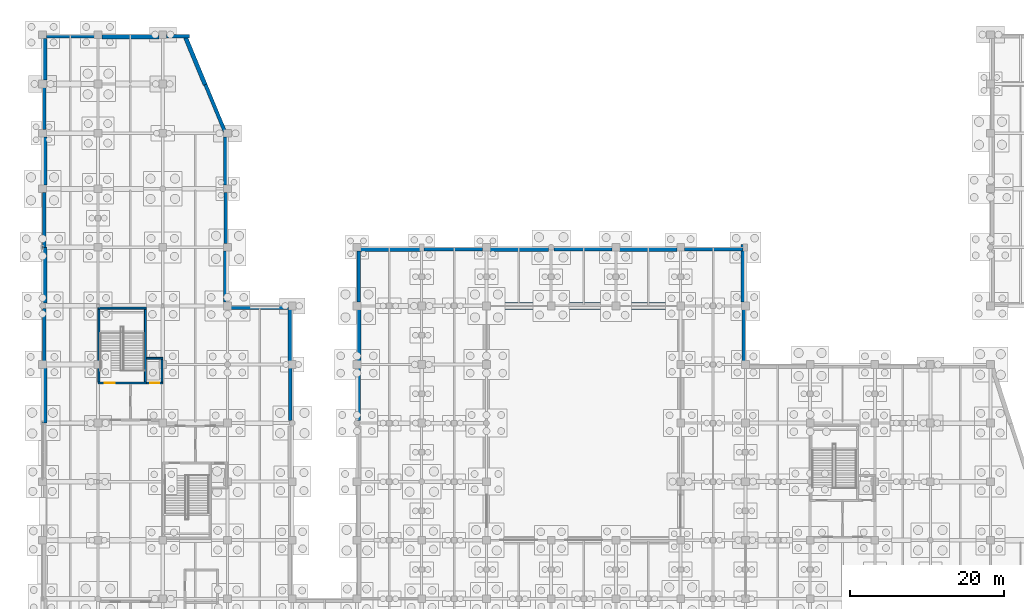
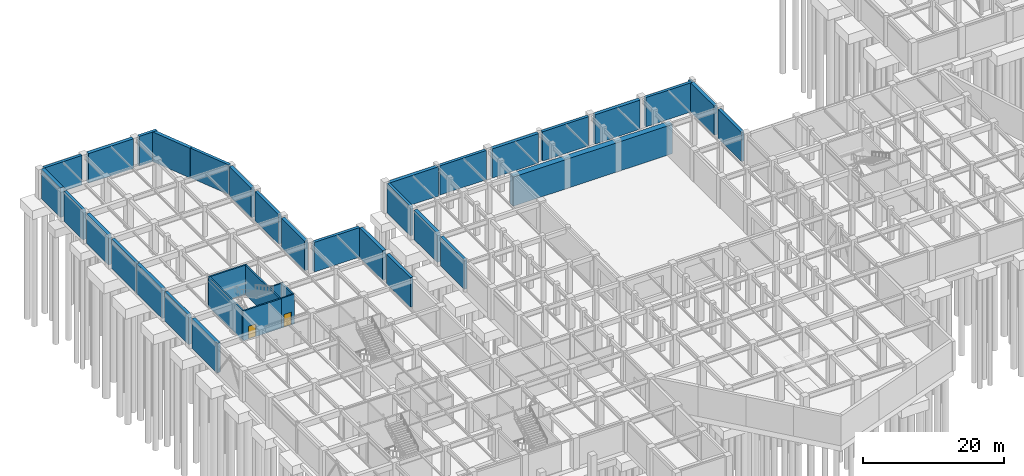
# One storey, part 43 of 52: 37 walls, 2 doors, 2 openings.
"""IFC4 building model written with IfcOpenShell, lengths in metres."""

from ifc_helpers import new_model, si_unit, direction, frame, frame_2d, origin, place, context, subcontext, project, spatial, rectangle, extrude, material, layer, layer_set, type_object, element, fill, save


model = new_model("IFC4")

# Units and contexts
model_context = context("Model", 3, precision=1e-05, world=origin(), true_north=direction((0.0, 1.0)))
body_context = subcontext(model_context, "Body", "Model", "MODEL_VIEW")
ifc_project = project(units=[si_unit("LENGTHUNIT", "METRE"), si_unit("AREAUNIT", "SQUARE_METRE"), si_unit("VOLUMEUNIT", "CUBIC_METRE"), si_unit("PLANEANGLEUNIT", "RADIAN"), si_unit("MASSUNIT", "GRAM", prefix="KILO")], contexts=[model_context])

# Site, building, storey
site_placement = place(None, origin())
site = spatial("IfcSite", under=ifc_project, at=site_placement, CompositionType="ELEMENT")
building_placement = place(site_placement, origin())
building = spatial("IfcBuilding", under=site, at=building_placement, Name="Xicomal Pleat Aquarium", CompositionType="ELEMENT")
storey_placement = place(building_placement, frame((0.0, 0.0, -5.39990234375)))
storey = spatial("IfcBuildingStorey", under=building, at=storey_placement, Name="B1", CompositionType="ELEMENT", Elevation=-5.39990234375)

# Wall, opening, door
ifc_material_1 = material(Name="Concrete C40/50", Category="concrete")
ifc_layer_1 = layer(ifc_material_1, 0.219970703125)
ifc_layer_set_1 = layer_set([ifc_layer_1], Name="Concrete C40/50")
wall_type_1 = type_object("IfcWallType", Name="WAL-COR-220", PredefinedType="SHEAR", material=ifc_layer_set_1)
wall_1_placement = place(storey_placement, frame((16.5, 65.989990234375, 0.0), z_axis=(0.0, 0.0, 1.0), x_axis=(1.0, 0.0, 0.0)))
wall_1 = element("IfcWall", 1, at=wall_1_placement, inside=storey, type_object=wall_type_1, Name="B1 LF-03 lift shaft wall CW-B1-C3-LS", PredefinedType="SHEAR", context=body_context, shape_type="SweptSolid", body=[
    extrude(rectangle(XDim=2.1201171875, YDim=0.219970703125, at=frame_2d((1.06005859375, 0.0))), origin(), (0.0, 0.0, 1.0), 5.139892578125),
])
opening_1_placement = place(wall_1_placement, frame((0.4599609375, 0.0, 0.0)))
opening_1 = element("IfcOpeningElement", 2, at=opening_1_placement, cuts=wall_1, Name="Opening LD-03-B1", PredefinedType="OPENING", context=body_context, shape_type="SweptSolid", body=[
    extrude(rectangle(XDim=1.199951171875, YDim=2.199951171875, at=frame_2d((0.60009765625, 1.10009765625))), frame((0.0, 0.119873046875, 0.0), z_axis=(0.0, -1.0, 0.0), x_axis=(1.0, 0.0, 0.0)), (0.0, 0.0, 1.0), 0.239990234375),
])
ifc_material_2 = material(Name="Brushed stainless steel 304", Category="steel")
door_type_1 = type_object("IfcDoorType", Name="DOR-LD-1200x2200", OperationType="DOUBLE_DOOR_SLIDING", PredefinedType="DOOR", material=ifc_material_2)
door_1_placement = place(opening_1_placement, origin())
door_1 = element("IfcDoor", 3, at=door_1_placement, inside=storey, type_object=door_type_1, Name="B1 LF-03 sliding lift landing door", OperationType="DOUBLE_DOOR_SLIDING", OverallHeight=2.199951171875, OverallWidth=1.199951171875, PredefinedType="DOOR", context=body_context, shape_type="SweptSolid", body=[
    extrude(rectangle(XDim=1.199951171875, YDim=2.199951171875, at=frame_2d((0.60009765625, 1.10009765625))), frame((0.0, 0.02490234375, 0.0), z_axis=(0.0, -1.0, 0.0), x_axis=(1.0, 0.0, 0.0)), (0.0, 0.0, 1.0), 0.050048828125),
])
fill(opening_1, door_1)

# Walls
wall_2_placement = place(storey_placement, frame((16.5, 69.2099609375, 0.0), z_axis=(0.0, 0.0, 1.0), x_axis=(1.0, 0.0, 0.0)))
element("IfcWall", 4, at=wall_2_placement, inside=storey, type_object=wall_type_1, Name="B1 LF-03 lift shaft wall CW-B1-C3-LN", PredefinedType="SHEAR", context=body_context, shape_type="SweptSolid", body=[
    extrude(rectangle(XDim=2.1201171875, YDim=0.219970703125, at=frame_2d((1.06005859375, 0.0))), origin(), (0.0, 0.0, 1.0), 5.139892578125),
])
wall_3_placement = place(storey_placement, frame((18.510009765625, 66.10009765625, 0.0), z_axis=(0.0, 0.0, 1.0), x_axis=(0.0, 1.0, 0.0)))
element("IfcWall", 5, at=wall_3_placement, inside=storey, type_object=wall_type_1, Name="B1 LF-03 lift shaft wall CW-B1-C3-LE", PredefinedType="SHEAR", context=body_context, shape_type="SweptSolid", body=[
    extrude(rectangle(XDim=3.0, YDim=0.219970703125, at=frame_2d((1.5, 0.0))), origin(), (0.0, 0.0, 1.0), 5.139892578125),
])

# Wall, opening, door
ifc_material_3 = material(Name="Concrete C40/50", Category="concrete")
ifc_layer_2 = layer(ifc_material_3, 0.25)
ifc_layer_set_2 = layer_set([ifc_layer_2], Name="Concrete C40/50")
wall_type_2 = type_object("IfcWallType", Name="WAL-COR-250", PredefinedType="SHEAR", material=ifc_layer_set_2)
wall_4_placement = place(storey_placement, frame((10.18994140625, 65.97509765625, 0.0), z_axis=(0.0, 0.0, 1.0), x_axis=(1.0, 0.0, 0.0)))
wall_4 = element("IfcWall", 6, at=wall_4_placement, inside=storey, type_object=wall_type_2, Name="B1 CORE-3 stair shear wall CW-B1-C3-SS", PredefinedType="SHEAR", context=body_context, shape_type="SweptSolid", body=[
    extrude(rectangle(XDim=6.280029296875, YDim=0.25, at=frame_2d((3.14013671875, 0.0))), origin(), (0.0, 0.0, 1.0), 5.139892578125),
])
opening_2_placement = place(wall_4_placement, frame((0.89990234375, 0.0, 0.0)))
opening_2 = element("IfcOpeningElement", 7, at=opening_2_placement, cuts=wall_4, Name="Opening SD-03-B1", PredefinedType="OPENING", context=body_context, shape_type="SweptSolid", body=[
    extrude(rectangle(XDim=1.25, YDim=2.199951171875, at=frame_2d((0.625, 1.10009765625))), frame((0.0, 0.135009765625, 0.0), z_axis=(0.0, -1.0, 0.0), x_axis=(1.0, 0.0, 0.0)), (0.0, 0.0, 1.0), 0.27001953125),
])
ifc_material_4 = material(Name="Powder-coated steel fire door", Category="steel")
door_type_2 = type_object("IfcDoorType", Name="DOR-ST-1250x2200", OperationType="NOTDEFINED", PredefinedType="DOOR", material=ifc_material_4)
door_2_placement = place(opening_2_placement, origin())
door_2 = element("IfcDoor", 8, at=door_2_placement, inside=storey, type_object=door_type_2, Name="B1 ST-03 protected stair door", OperationType="SINGLE_SWING_LEFT", OverallHeight=2.199951171875, OverallWidth=1.25, PredefinedType="DOOR", context=body_context, shape_type="SweptSolid", body=[
    extrude(rectangle(XDim=1.25, YDim=2.199951171875, at=frame_2d((0.625, 1.10009765625))), frame((0.0, 0.02490234375, 0.0), z_axis=(0.0, -1.0, 0.0), x_axis=(1.0, 0.0, 0.0)), (0.0, 0.0, 1.0), 0.050048828125),
])
fill(opening_2, door_2)

# Walls
wall_5_placement = place(storey_placement, frame((10.18994140625, 75.72509765625, 0.0), z_axis=(0.0, 0.0, 1.0), x_axis=(1.0, 0.0, 0.0)))
element("IfcWall", 9, at=wall_5_placement, inside=storey, type_object=wall_type_2, Name="B1 CORE-3 stair shear wall CW-B1-C3-SN", PredefinedType="SHEAR", context=body_context, shape_type="SweptSolid", body=[
    extrude(rectangle(XDim=6.280029296875, YDim=0.25, at=frame_2d((3.14013671875, 0.0))), origin(), (0.0, 0.0, 1.0), 5.139892578125),
])
for number, where, z_axis, x_axis, name in (
    (10, (10.31494140625, 66.10009765625, 0.0), (0.0, 0.0, 1.0), (0.0, 1.0, 0.0), "B1 CORE-3 stair shear wall CW-B1-C3-SW"),
    (11, (16.344970703125, 66.10009765625, 0.0), (0.0, 0.0, 1.0), (0.0, 1.0, 0.0), "B1 CORE-3 stair shear wall CW-B1-C3-SE"),
):
    element("IfcWall", number, at=place(storey_placement, frame(where, z_axis=z_axis, x_axis=x_axis)), inside=storey, type_object=wall_type_2, Name=name, PredefinedType="SHEAR", context=body_context, shape_type="SweptSolid", body=[
        extrude(rectangle(XDim=9.5, YDim=0.25, at=frame_2d((4.75, 0.0))), origin(), (0.0, 0.0, 1.0), 5.139892578125),
    ])
ifc_material_5 = material(Name="Waterproof concrete C40/50", Category="concrete")
ifc_layer_3 = layer(ifc_material_5, 0.4599609375)
ifc_layer_set_3 = layer_set([ifc_layer_3], Name="Waterproof concrete C40/50")
wall_type_3 = type_object("IfcWallType", Name="WAL-RET-460", PredefinedType="USERDEFINED", material=ifc_layer_set_3)
wall_6_placement = place(storey_placement, frame((3.22998046875, 68.885009765625, 0.0), z_axis=(0.0, 0.0, 1.0), x_axis=(0.0, 1.0, 0.0)))
element("IfcWall", 12, at=wall_6_placement, inside=storey, type_object=wall_type_3, Name="Basement waterproof retaining wall RW-B1-083", ObjectType="RETAINING WALL", PredefinedType="USERDEFINED", context=body_context, shape_type="SweptSolid", body=[
    extrude(rectangle(XDim=6.7548828125, YDim=0.4599609375, at=frame_2d((3.37744140625, 0.0))), origin(), (0.0, 0.0, 1.0), 5.139892578125),
])
wall_7_placement = place(storey_placement, frame((3.22998046875, 83.580078125, 0.0), z_axis=(0.0, 0.0, 1.0), x_axis=(0.0, 1.0, 0.0)))
element("IfcWall", 13, at=wall_7_placement, inside=storey, type_object=wall_type_3, Name="Basement waterproof retaining wall RW-B1-085", ObjectType="RETAINING WALL", PredefinedType="USERDEFINED", context=body_context, shape_type="SweptSolid", body=[
    extrude(rectangle(XDim=7.135009765625, YDim=0.4599609375, at=frame_2d((3.5673828125, 0.0))), origin(), (0.0, 0.0, 1.0), 5.139892578125),
])
wall_8_placement = place(storey_placement, frame((3.22998046875, 98.885009765625, 0.0), z_axis=(0.0, 0.0, 1.0), x_axis=(0.0, 1.0, 0.0)))
element("IfcWall", 14, at=wall_8_placement, inside=storey, type_object=wall_type_3, Name="Basement waterproof retaining wall RW-B1-087", ObjectType="RETAINING WALL", PredefinedType="USERDEFINED", context=body_context, shape_type="SweptSolid", body=[
    extrude(rectangle(XDim=5.429931640625, YDim=0.4599609375, at=frame_2d((2.71484375, 0.0))), origin(), (0.0, 0.0, 1.0), 5.139892578125),
])
wall_9_placement = place(storey_placement, frame((3.485107421875, 110.969970703125, 0.0), z_axis=(0.0, 0.0, 1.0), x_axis=(1.0, 0.0, 0.0)))
element("IfcWall", 15, at=wall_9_placement, inside=storey, type_object=wall_type_3, Name="Basement waterproof retaining wall RW-B1-089", ObjectType="RETAINING WALL", PredefinedType="USERDEFINED", context=body_context, shape_type="SweptSolid", body=[
    extrude(rectangle(XDim=6.22998046875, YDim=0.4599609375, at=frame_2d((3.114990234375, 0.0))), origin(), (0.0, 0.0, 1.0), 5.139892578125),
])
wall_10_placement = place(storey_placement, frame((19.0849609375, 110.969970703125, 0.0), z_axis=(0.0, 0.0, 1.0), x_axis=(1.0, 0.0, 0.0)))
element("IfcWall", 16, at=wall_10_placement, inside=storey, type_object=wall_type_3, Name="Basement waterproof retaining wall RW-B1-091", ObjectType="RETAINING WALL", PredefinedType="USERDEFINED", context=body_context, shape_type="SweptSolid", body=[
    extrude(rectangle(XDim=2.97509765625, YDim=0.4599609375, at=frame_2d((1.487548828125, 0.0))), origin(), (0.0, 0.0, 1.0), 5.139892578125),
])
wall_11_placement = place(storey_placement, frame((24.136962890625, 104.7119140625, 0.0), z_axis=(0.0, 0.0, 1.0), x_axis=(0.382587333164, -0.923919332249, 0.0)))
element("IfcWall", 17, at=wall_11_placement, inside=storey, type_object=wall_type_3, Name="Basement waterproof retaining wall RW-B1-093", ObjectType="RETAINING WALL", PredefinedType="USERDEFINED", context=body_context, shape_type="SweptSolid", body=[
    extrude(rectangle(XDim=6.927001953125, YDim=0.4599609375, at=frame_2d((3.46337890625, 0.0))), origin(), (0.0, 0.0, 1.0), 5.139892578125),
])
wall_12_placement = place(storey_placement, frame((26.77001953125, 90.715087890625, 0.0), z_axis=(0.0, 0.0, 1.0), x_axis=(0.0, -1.0, 0.0)))
element("IfcWall", 18, at=wall_12_placement, inside=storey, type_object=wall_type_3, Name="Basement waterproof retaining wall RW-B1-095", ObjectType="RETAINING WALL", PredefinedType="USERDEFINED", context=body_context, shape_type="SweptSolid", body=[
    extrude(rectangle(XDim=6.630126953125, YDim=0.4599609375, at=frame_2d((3.31494140625, 0.0))), origin(), (0.0, 0.0, 1.0), 5.139892578125),
])
wall_13_placement = place(storey_placement, frame((27.485107421875, 75.77001953125, 0.0), z_axis=(0.0, 0.0, 1.0), x_axis=(1.0, 0.0, 0.0)))
element("IfcWall", 19, at=wall_13_placement, inside=storey, type_object=wall_type_3, Name="Basement waterproof retaining wall RW-B1-097", ObjectType="RETAINING WALL", PredefinedType="USERDEFINED", context=body_context, shape_type="SweptSolid", body=[
    extrude(rectangle(XDim=7.429931640625, YDim=0.4599609375, at=frame_2d((3.71484375, 0.0))), origin(), (0.0, 0.0, 1.0), 5.139892578125),
])
wall_14_placement = place(storey_placement, frame((35.169921875, 67.9150390625, 0.0), z_axis=(0.0, 0.0, 1.0), x_axis=(0.0, -1.0, 0.0)))
element("IfcWall", 20, at=wall_14_placement, inside=storey, type_object=wall_type_3, Name="Basement waterproof retaining wall RW-B1-099", ObjectType="RETAINING WALL", PredefinedType="USERDEFINED", context=body_context, shape_type="SweptSolid", body=[
    extrude(rectangle(XDim=6.755126953125, YDim=0.4599609375, at=frame_2d((3.37744140625, 0.0))), origin(), (0.0, 0.0, 1.0), 5.139892578125),
])
wall_15_placement = place(storey_placement, frame((44.030029296875, 61.159912109375, 0.0), z_axis=(0.0, 0.0, 1.0), x_axis=(0.0, 1.0, 0.0)))
element("IfcWall", 21, at=wall_15_placement, inside=storey, type_object=wall_type_3, Name="Basement waterproof retaining wall RW-B1-107", ObjectType="RETAINING WALL", PredefinedType="USERDEFINED", context=body_context, shape_type="SweptSolid", body=[
    extrude(rectangle(XDim=6.755126953125, YDim=0.4599609375, at=frame_2d((3.37744140625, 0.0))), origin(), (0.0, 0.0, 1.0), 5.074951171875),
])
wall_16_placement = place(storey_placement, frame((44.030029296875, 76.485107421875, 0.0), z_axis=(0.0, 0.0, 1.0), x_axis=(0.0, 1.0, 0.0)))
element("IfcWall", 22, at=wall_16_placement, inside=storey, type_object=wall_type_3, Name="Basement waterproof retaining wall RW-B1-109", ObjectType="RETAINING WALL", PredefinedType="USERDEFINED", context=body_context, shape_type="SweptSolid", body=[
    extrude(rectangle(XDim=6.6298828125, YDim=0.4599609375, at=frame_2d((3.31494140625, 0.0))), origin(), (0.0, 0.0, 1.0), 5.074951171875),
])
wall_17_placement = place(storey_placement, frame((52.485107421875, 83.3701171875, 0.0), z_axis=(0.0, 0.0, 1.0), x_axis=(1.0, 0.0, 0.0)))
element("IfcWall", 23, at=wall_17_placement, inside=storey, type_object=wall_type_3, Name="Basement waterproof retaining wall RW-B1-111", ObjectType="RETAINING WALL", PredefinedType="USERDEFINED", context=body_context, shape_type="SweptSolid", body=[
    extrude(rectangle(XDim=7.6298828125, YDim=0.4599609375, at=frame_2d((3.81494140625, 0.0))), origin(), (0.0, 0.0, 1.0), 5.074951171875),
])
wall_18_placement = place(storey_placement, frame((69.360107421875, 83.3701171875, 0.0), z_axis=(0.0, 0.0, 1.0), x_axis=(1.0, 0.0, 0.0)))
element("IfcWall", 24, at=wall_18_placement, inside=storey, type_object=wall_type_3, Name="Basement waterproof retaining wall RW-B1-113", ObjectType="RETAINING WALL", PredefinedType="USERDEFINED", context=body_context, shape_type="SweptSolid", body=[
    extrude(rectangle(XDim=7.554931640625, YDim=0.4599609375, at=frame_2d((3.77734375, 0.0))), origin(), (0.0, 0.0, 1.0), 5.074951171875),
])
wall_19_placement = place(storey_placement, frame((86.284912109375, 83.3701171875, 0.0), z_axis=(0.0, 0.0, 1.0), x_axis=(1.0, 0.0, 0.0)))
element("IfcWall", 25, at=wall_19_placement, inside=storey, type_object=wall_type_3, Name="Basement waterproof retaining wall RW-B1-115", ObjectType="RETAINING WALL", PredefinedType="USERDEFINED", context=body_context, shape_type="SweptSolid", body=[
    extrude(rectangle(XDim=7.630126953125, YDim=0.4599609375, at=frame_2d((3.81494140625, 0.0))), origin(), (0.0, 0.0, 1.0), 5.074951171875),
])
wall_20_placement = place(storey_placement, frame((93.969970703125, 75.514892578125, 0.0), z_axis=(0.0, 0.0, 1.0), x_axis=(0.0, -1.0, 0.0)))
element("IfcWall", 26, at=wall_20_placement, inside=storey, type_object=wall_type_3, Name="Basement waterproof retaining wall RW-B1-117", ObjectType="RETAINING WALL", PredefinedType="USERDEFINED", context=body_context, shape_type="SweptSolid", body=[
    extrude(rectangle(XDim=6.6298828125, YDim=0.4599609375, at=frame_2d((3.31494140625, 0.0))), origin(), (0.0, 0.0, 1.0), 5.074951171875),
])
ifc_material_6 = material(Name="Waterproof concrete C40/50", Category="concrete")
ifc_layer_4 = layer(ifc_material_6, 0.550048828125)
ifc_layer_set_4 = layer_set([ifc_layer_4], Name="Waterproof concrete C40/50")
wall_type_4 = type_object("IfcWallType", Name="WAL-RET-550", PredefinedType="USERDEFINED", material=ifc_layer_set_4)
wall_21_placement = place(storey_placement, frame((3.27490234375, 60.780029296875, 0.0), z_axis=(0.0, 0.0, 1.0), x_axis=(0.0, 1.0, 0.0)))
element("IfcWall", 27, at=wall_21_placement, inside=storey, type_object=wall_type_4, Name="Basement waterproof retaining wall RW-B1-082", ObjectType="RETAINING WALL", PredefinedType="USERDEFINED", context=body_context, shape_type="SweptSolid", body=[
    extrude(rectangle(XDim=7.135009765625, YDim=0.550048828125, at=frame_2d((3.5673828125, 0.0))), origin(), (0.0, 0.0, 1.0), 5.139892578125),
])
wall_22_placement = place(storey_placement, frame((3.27490234375, 76.360107421875, 0.0), z_axis=(0.0, 0.0, 1.0), x_axis=(0.0, 1.0, 0.0)))
element("IfcWall", 28, at=wall_22_placement, inside=storey, type_object=wall_type_4, Name="Basement waterproof retaining wall RW-B1-084", ObjectType="RETAINING WALL", PredefinedType="USERDEFINED", context=body_context, shape_type="SweptSolid", body=[
    extrude(rectangle(XDim=7.260009765625, YDim=0.550048828125, at=frame_2d((3.6298828125, 0.0))), origin(), (0.0, 0.0, 1.0), 5.139892578125),
])
wall_23_placement = place(storey_placement, frame((3.27490234375, 91.68505859375, 0.0), z_axis=(0.0, 0.0, 1.0), x_axis=(0.0, 1.0, 0.0)))
element("IfcWall", 29, at=wall_23_placement, inside=storey, type_object=wall_type_4, Name="Basement waterproof retaining wall RW-B1-086", ObjectType="RETAINING WALL", PredefinedType="USERDEFINED", context=body_context, shape_type="SweptSolid", body=[
    extrude(rectangle(XDim=6.22998046875, YDim=0.550048828125, at=frame_2d((3.114990234375, 0.0))), origin(), (0.0, 0.0, 1.0), 5.139892578125),
])
wall_24_placement = place(storey_placement, frame((3.27490234375, 105.284912109375, 0.0), z_axis=(0.0, 0.0, 1.0), x_axis=(0.0, 1.0, 0.0)))
element("IfcWall", 30, at=wall_24_placement, inside=storey, type_object=wall_type_4, Name="Basement waterproof retaining wall RW-B1-088", ObjectType="RETAINING WALL", PredefinedType="USERDEFINED", context=body_context, shape_type="SweptSolid", body=[
    extrude(rectangle(XDim=5.43017578125, YDim=0.550048828125, at=frame_2d((2.715087890625, 0.0))), origin(), (0.0, 0.0, 1.0), 5.139892578125),
])
wall_25_placement = place(storey_placement, frame((10.68505859375, 110.925048828125, 0.0), z_axis=(0.0, 0.0, 1.0), x_axis=(1.0, 0.0, 0.0)))
element("IfcWall", 31, at=wall_25_placement, inside=storey, type_object=wall_type_4, Name="Basement waterproof retaining wall RW-B1-090", ObjectType="RETAINING WALL", PredefinedType="USERDEFINED", context=body_context, shape_type="SweptSolid", body=[
    extrude(rectangle(XDim=7.429931640625, YDim=0.550048828125, at=frame_2d((3.71484375, 0.0))), origin(), (0.0, 0.0, 1.0), 5.139892578125),
])
wall_26_placement = place(storey_placement, frame((21.446044921875, 111.094970703125, 0.0), z_axis=(0.0, 0.0, 1.0), x_axis=(0.382557246249, -0.923931790416, 0.0)))
element("IfcWall", 32, at=wall_26_placement, inside=storey, type_object=wall_type_4, Name="Basement waterproof retaining wall RW-B1-092", ObjectType="RETAINING WALL", PredefinedType="USERDEFINED", context=body_context, shape_type="SweptSolid", body=[
    extrude(rectangle(XDim=6.9267578125, YDim=0.550048828125, at=frame_2d((3.46337890625, 0.0))), origin(), (0.0, 0.0, 1.0), 5.139892578125),
])
wall_27_placement = place(storey_placement, frame((26.72509765625, 97.9150390625, 0.0), z_axis=(0.0, 0.0, 1.0), x_axis=(0.0, -1.0, 0.0)))
element("IfcWall", 33, at=wall_27_placement, inside=storey, type_object=wall_type_4, Name="Basement waterproof retaining wall RW-B1-094", ObjectType="RETAINING WALL", PredefinedType="USERDEFINED", context=body_context, shape_type="SweptSolid", body=[
    extrude(rectangle(XDim=6.22998046875, YDim=0.550048828125, at=frame_2d((3.114990234375, 0.0))), origin(), (0.0, 0.0, 1.0), 5.139892578125),
])
for number, where, z_axis, x_axis, name in (
    (34, (26.72509765625, 83.114990234375, 0.0), (0.0, 0.0, 1.0), (0.0, -1.0, 0.0), "Basement waterproof retaining wall RW-B1-096"),
    (35, (35.125, 75.514892578125, 0.0), (0.0, 0.0, 1.0), (0.0, -1.0, 0.0), "Basement waterproof retaining wall RW-B1-098"),
):
    element("IfcWall", number, at=place(storey_placement, frame(where, z_axis=z_axis, x_axis=x_axis)), inside=storey, type_object=wall_type_4, Name=name, ObjectType="RETAINING WALL", PredefinedType="USERDEFINED", context=body_context, shape_type="SweptSolid", body=[
        extrude(rectangle(XDim=6.6298828125, YDim=0.550048828125, at=frame_2d((3.31494140625, 0.0))), origin(), (0.0, 0.0, 1.0), 5.139892578125),
    ])
wall_28_placement = place(storey_placement, frame((44.074951171875, 68.885009765625, 0.0), z_axis=(0.0, 0.0, 1.0), x_axis=(0.0, 1.0, 0.0)))
element("IfcWall", 36, at=wall_28_placement, inside=storey, type_object=wall_type_4, Name="Basement waterproof retaining wall RW-B1-108", ObjectType="RETAINING WALL", PredefinedType="USERDEFINED", context=body_context, shape_type="SweptSolid", body=[
    extrude(rectangle(XDim=6.6298828125, YDim=0.550048828125, at=frame_2d((3.31494140625, 0.0))), origin(), (0.0, 0.0, 1.0), 5.074951171875),
])
wall_29_placement = place(storey_placement, frame((44.284912109375, 83.324951171875, 0.0), z_axis=(0.0, 0.0, 1.0), x_axis=(1.0, 0.0, 0.0)))
element("IfcWall", 37, at=wall_29_placement, inside=storey, type_object=wall_type_4, Name="Basement waterproof retaining wall RW-B1-110", ObjectType="RETAINING WALL", PredefinedType="USERDEFINED", context=body_context, shape_type="SweptSolid", body=[
    extrude(rectangle(XDim=7.93505859375, YDim=0.550048828125, at=frame_2d((3.967529296875, 0.0))), origin(), (0.0, 0.0, 1.0), 5.074951171875),
])
wall_30_placement = place(storey_placement, frame((61.0849609375, 83.324951171875, 0.0), z_axis=(0.0, 0.0, 1.0), x_axis=(1.0, 0.0, 0.0)))
element("IfcWall", 38, at=wall_30_placement, inside=storey, type_object=wall_type_4, Name="Basement waterproof retaining wall RW-B1-112", ObjectType="RETAINING WALL", PredefinedType="USERDEFINED", context=body_context, shape_type="SweptSolid", body=[
    extrude(rectangle(XDim=7.554931640625, YDim=0.550048828125, at=frame_2d((3.77734375, 0.0))), origin(), (0.0, 0.0, 1.0), 5.074951171875),
])
wall_31_placement = place(storey_placement, frame((77.885009765625, 83.324951171875, 0.0), z_axis=(0.0, 0.0, 1.0), x_axis=(1.0, 0.0, 0.0)))
element("IfcWall", 39, at=wall_31_placement, inside=storey, type_object=wall_type_4, Name="Basement waterproof retaining wall RW-B1-114", ObjectType="RETAINING WALL", PredefinedType="USERDEFINED", context=body_context, shape_type="SweptSolid", body=[
    extrude(rectangle(XDim=7.429931640625, YDim=0.550048828125, at=frame_2d((3.71484375, 0.0))), origin(), (0.0, 0.0, 1.0), 5.074951171875),
])
wall_32_placement = place(storey_placement, frame((93.925048828125, 83.9599609375, 0.0), z_axis=(0.0, 0.0, 1.0), x_axis=(0.0, -1.0, 0.0)))
element("IfcWall", 40, at=wall_32_placement, inside=storey, type_object=wall_type_4, Name="Basement waterproof retaining wall RW-B1-116", ObjectType="RETAINING WALL", PredefinedType="USERDEFINED", context=body_context, shape_type="SweptSolid", body=[
    extrude(rectangle(XDim=7.474853515625, YDim=0.550048828125, at=frame_2d((3.7373046875, 0.0))), origin(), (0.0, 0.0, 1.0), 5.074951171875),
])
ifc_material_7 = material(Name="Concrete C45/55", Category="concrete")
ifc_layer_5 = layer(ifc_material_7, 0.949951171875)
ifc_layer_set_5 = layer_set([ifc_layer_5], Name="Concrete C45/55")
wall_type_5 = type_object("IfcWallType", Name="WAL-TANK-950", PredefinedType="SHEAR", material=ifc_layer_set_5)
wall_33_placement = place(storey_placement, frame((60.125, 76.0, 0.0), z_axis=(0.0, 0.0, 1.0), x_axis=(1.0, 0.0, 0.0)))
element("IfcWall", 41, at=wall_33_placement, inside=storey, type_object=wall_type_5, Name="Main ocean tank hydrostatic wall TW-B1-N", PredefinedType="SHEAR", context=body_context, shape_type="SweptSolid", body=[
    extrude(rectangle(XDim=26.14990234375, YDim=0.949951171875, at=frame_2d((13.074951171875, 0.0))), origin(), (0.0, 0.0, 1.0), 5.074951171875),
])

save(model, "model.ifc")
